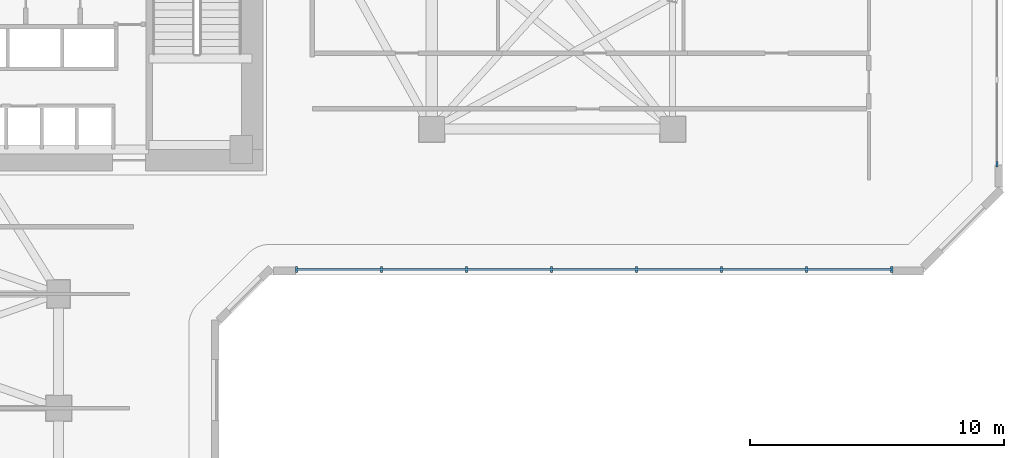
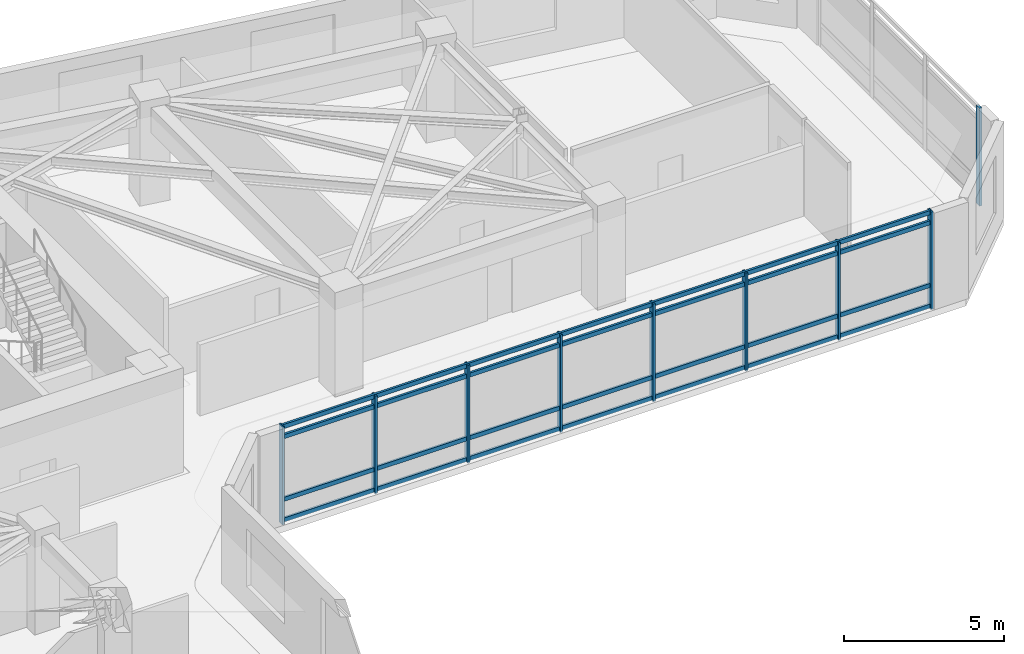
# One storey, part 2 of 11: 13 members, 2 elements without a shape of their own.
"""IFC4 building model written with IfcOpenShell, lengths in metres."""

from ifc_helpers import new_model, si_unit, direction, frame, origin, origin_2d, place, context, subcontext, project, spatial, rectangle, extrude, source, transform, mapped, material, material_profile, profile_set, type_object, element, aggregate, save


model = new_model("IFC4")

# Units and contexts
model_context = context("Model", 3, precision=1e-05, world=origin(), true_north=direction((0.0, 1.0)))
body_context = subcontext(model_context, "Body", "Model", "MODEL_VIEW")
ifc_project = project(units=[si_unit("LENGTHUNIT", "METRE"), si_unit("AREAUNIT", "SQUARE_METRE"), si_unit("VOLUMEUNIT", "CUBIC_METRE"), si_unit("PLANEANGLEUNIT", "RADIAN"), si_unit("MASSUNIT", "GRAM", prefix="KILO")], contexts=[model_context])

# Site, building, storey
site_placement = place(None, origin())
site = spatial("IfcSite", under=ifc_project, at=site_placement, CompositionType="ELEMENT")
building_placement = place(site_placement, origin())
building = spatial("IfcBuilding", under=site, at=building_placement, Name="Calvemar Wedge Station Tower", CompositionType="ELEMENT")
storey_placement = place(building_placement, frame((0.0, 0.0, 59.0)))
storey = spatial("IfcBuildingStorey", under=building, at=storey_placement, Name="L14", CompositionType="ELEMENT", Elevation=59.0)

# Curtain wall, members
ifc_material = material(Name="Anodised aluminium 6063-T6", Category="aluminium")
curtain_wall_type = type_object("IfcCurtainWallType", Name="CW1", PredefinedType="NOTDEFINED", material=ifc_material)
curtain_wall_1_placement = place(storey_placement, origin())
curtain_wall_1 = element("IfcCurtainWall", 1, at=curtain_wall_1_placement, inside=storey, type_object=curtain_wall_type, Name="Storey L14 CW1 Recessed Unitised Curtain Wall 6", PredefinedType="NOTDEFINED")
ifc_material_profile_1 = material_profile(ifc_material, rectangle(XDim=0.080078125, YDim=0.159912109375, at=origin_2d()), Name="AL-TRN-80x160")
ifc_profile_set_1 = profile_set([ifc_material_profile_1], Name="Anodised aluminium 6063-T6")
member_type_1 = type_object("IfcMemberType", Name="CW1-TRN", PredefinedType="USERDEFINED", material=ifc_profile_set_1)
shared_shape_1 = source(origin(), body_context, "Body", "SweptSolid", [
    extrude(rectangle(XDim=0.080078125, YDim=0.159912109375, at=origin_2d()), origin(), (0.0, 0.0, 1.0), 23.471923828125),
])
member_1_placement = place(storey_placement, frame((33.166015625, 29.469970703125, 0.06005859375), z_axis=(1.0, 0.0, 0.0), x_axis=(0.0, 1.0, 0.0)))
member_1 = element("IfcMember", 2, at=member_1_placement, type_object=member_type_1, Name="CW1 transom 1", ObjectType="TRANSOM", PredefinedType="USERDEFINED", context=body_context, shape_type="MappedRepresentation", body=[
    mapped(shared_shape_1, transform((0.0, 0.0, 0.0), scale=1.0)),
])
member_2_placement = place(storey_placement, frame((33.166015625, 29.469970703125, 0.85009765625), z_axis=(1.0, 0.0, 0.0), x_axis=(0.0, 1.0, 0.0)))
member_2 = element("IfcMember", 3, at=member_2_placement, type_object=member_type_1, Name="CW1 transom 2", ObjectType="TRANSOM", PredefinedType="USERDEFINED", context=body_context, shape_type="MappedRepresentation", body=[
    mapped(shared_shape_1, transform((0.0, 0.0, 0.0), scale=1.0)),
])
member_3_placement = place(storey_placement, frame((33.166015625, 29.469970703125, 3.25), z_axis=(1.0, 0.0, 0.0), x_axis=(0.0, 1.0, 0.0)))
member_3 = element("IfcMember", 4, at=member_3_placement, type_object=member_type_1, Name="CW1 transom 3", ObjectType="TRANSOM", PredefinedType="USERDEFINED", context=body_context, shape_type="MappedRepresentation", body=[
    mapped(shared_shape_1, transform((0.0, 0.0, 0.0), scale=1.0)),
])
member_4_placement = place(storey_placement, frame((33.166015625, 29.469970703125, 3.639892578125), z_axis=(1.0, 0.0, 0.0), x_axis=(0.0, 1.0, 0.0)))
member_4 = element("IfcMember", 5, at=member_4_placement, type_object=member_type_1, Name="CW1 transom 4", ObjectType="TRANSOM", PredefinedType="USERDEFINED", context=body_context, shape_type="MappedRepresentation", body=[
    mapped(shared_shape_1, transform((0.0, 0.0, 0.0), scale=1.0)),
])
ifc_material_profile_2 = material_profile(ifc_material, rectangle(XDim=0.080078125, YDim=0.219970703125, at=origin_2d()), Name="AL-MUL-80x220")
ifc_profile_set_2 = profile_set([ifc_material_profile_2], Name="Anodised aluminium 6063-T6")
member_type_2 = type_object("IfcMemberType", Name="CW1-MUL", PredefinedType="MULLION", material=ifc_profile_set_2)
shared_shape_2 = source(origin(), body_context, "Body", "SweptSolid", [
    extrude(rectangle(XDim=0.080078125, YDim=0.219970703125, at=origin_2d()), origin(), (0.0, 0.0, 1.0), 3.75),
])
member_5_placement = place(storey_placement, frame((33.166015625, 29.469970703125, -0.050048828125), z_axis=(0.0, 0.0, 1.0), x_axis=(1.0, 0.0, 0.0)))
member_5 = element("IfcMember", 6, at=member_5_placement, type_object=member_type_2, Name="CW1 mullion 1", PredefinedType="MULLION", context=body_context, shape_type="MappedRepresentation", body=[
    mapped(shared_shape_2, transform((0.0, 0.0, 0.0), scale=1.0)),
])
member_6_placement = place(storey_placement, frame((36.51904296875, 29.469970703125, -0.050048828125), z_axis=(0.0, 0.0, 1.0), x_axis=(1.0, 0.0, 0.0)))
member_6 = element("IfcMember", 7, at=member_6_placement, type_object=member_type_2, Name="CW1 mullion 2", PredefinedType="MULLION", context=body_context, shape_type="MappedRepresentation", body=[
    mapped(shared_shape_2, transform((0.0, 0.0, 0.0), scale=1.0)),
])
member_7_placement = place(storey_placement, frame((39.872314453125, 29.469970703125, -0.050048828125), z_axis=(0.0, 0.0, 1.0), x_axis=(1.0, 0.0, 0.0)))
member_7 = element("IfcMember", 8, at=member_7_placement, type_object=member_type_2, Name="CW1 mullion 3", PredefinedType="MULLION", context=body_context, shape_type="MappedRepresentation", body=[
    mapped(shared_shape_2, transform((0.0, 0.0, 0.0), scale=1.0)),
])
member_8_placement = place(storey_placement, frame((43.225341796875, 29.469970703125, -0.050048828125), z_axis=(0.0, 0.0, 1.0), x_axis=(1.0, 0.0, 0.0)))
member_8 = element("IfcMember", 9, at=member_8_placement, type_object=member_type_2, Name="CW1 mullion 4", PredefinedType="MULLION", context=body_context, shape_type="MappedRepresentation", body=[
    mapped(shared_shape_2, transform((0.0, 0.0, 0.0), scale=1.0)),
])
member_9_placement = place(storey_placement, frame((46.57861328125, 29.469970703125, -0.050048828125), z_axis=(0.0, 0.0, 1.0), x_axis=(1.0, 0.0, 0.0)))
member_9 = element("IfcMember", 10, at=member_9_placement, type_object=member_type_2, Name="CW1 mullion 5", PredefinedType="MULLION", context=body_context, shape_type="MappedRepresentation", body=[
    mapped(shared_shape_2, transform((0.0, 0.0, 0.0), scale=1.0)),
])
member_10_placement = place(storey_placement, frame((49.931640625, 29.469970703125, -0.050048828125), z_axis=(0.0, 0.0, 1.0), x_axis=(1.0, 0.0, 0.0)))
member_10 = element("IfcMember", 11, at=member_10_placement, type_object=member_type_2, Name="CW1 mullion 6", PredefinedType="MULLION", context=body_context, shape_type="MappedRepresentation", body=[
    mapped(shared_shape_2, transform((0.0, 0.0, 0.0), scale=1.0)),
])
member_11_placement = place(storey_placement, frame((53.284912109375, 29.469970703125, -0.050048828125), z_axis=(0.0, 0.0, 1.0), x_axis=(1.0, 0.0, 0.0)))
member_11 = element("IfcMember", 12, at=member_11_placement, type_object=member_type_2, Name="CW1 mullion 7", PredefinedType="MULLION", context=body_context, shape_type="MappedRepresentation", body=[
    mapped(shared_shape_2, transform((0.0, 0.0, 0.0), scale=1.0)),
])
member_12_placement = place(storey_placement, frame((56.637939453125, 29.469970703125, -0.050048828125), z_axis=(0.0, 0.0, 1.0), x_axis=(1.0, 0.0, 0.0)))
member_12 = element("IfcMember", 13, at=member_12_placement, type_object=member_type_2, Name="CW1 mullion 8", PredefinedType="MULLION", context=body_context, shape_type="MappedRepresentation", body=[
    mapped(shared_shape_2, transform((0.0, 0.0, 0.0), scale=1.0)),
])
aggregate(curtain_wall_1, [member_5, member_6, member_7, member_8, member_9, member_10, member_11, member_12, member_1, member_2, member_3, member_4])

# Curtain wall, member
curtain_wall_2_placement = place(storey_placement, origin())
curtain_wall_2 = element("IfcCurtainWall", 14, at=curtain_wall_2_placement, inside=storey, type_object=curtain_wall_type, Name="Storey L14 CW1 Recessed Unitised Curtain Wall 8", PredefinedType="NOTDEFINED")
member_13_placement = place(storey_placement, frame((60.7900390625, 33.6220703125, -0.050048828125), z_axis=(0.0, 0.0, 1.0), x_axis=(1.0, 0.0, 0.0)))
member_13 = element("IfcMember", 15, at=member_13_placement, type_object=member_type_2, Name="CW1 mullion 1", PredefinedType="MULLION", context=body_context, shape_type="MappedRepresentation", body=[
    mapped(shared_shape_2, transform((0.0, 0.0, 0.0), scale=1.0)),
])
aggregate(curtain_wall_2, [member_13])

save(model, "model.ifc")
